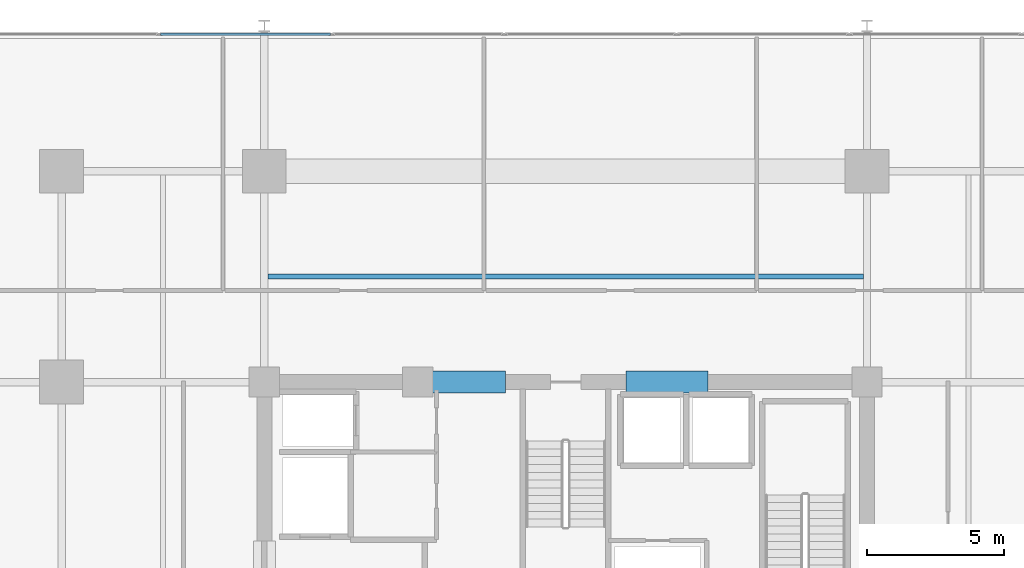
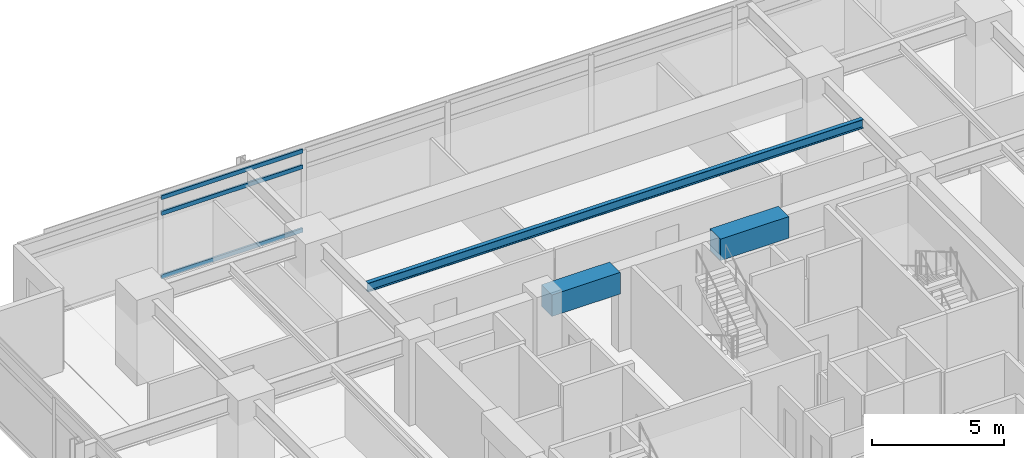
# One storey, part 7 of 21: 3 beams, 3 members, 1 element without a shape of its own.
"""IFC4 building model written with IfcOpenShell, lengths in metres."""

from ifc_helpers import new_model, si_unit, direction, frame, origin, origin_2d, place, context, subcontext, project, spatial, rectangle, hollow_rectangle, i_section, extrude, material, material_profile, profile_set, type_object, element, aggregate, save


model = new_model("IFC4")

# Units and contexts
model_context = context("Model", 3, precision=1e-05, world=origin(), true_north=direction((0.0, 1.0)))
body_context = subcontext(model_context, "Body", "Model", "MODEL_VIEW")
ifc_project = project(units=[si_unit("LENGTHUNIT", "METRE"), si_unit("AREAUNIT", "SQUARE_METRE"), si_unit("VOLUMEUNIT", "CUBIC_METRE"), si_unit("PLANEANGLEUNIT", "RADIAN"), si_unit("MASSUNIT", "GRAM", prefix="KILO")], contexts=[model_context])

# Site, building, storey
site_placement = place(None, origin())
site = spatial("IfcSite", under=ifc_project, at=site_placement, CompositionType="ELEMENT")
building_placement = place(site_placement, origin())
building = spatial("IfcBuilding", under=site, at=building_placement, Name="Kovane Verandah Tower", CompositionType="ELEMENT")
storey_placement = place(building_placement, frame((0.0, 0.0, 176.39990234375)))
storey = spatial("IfcBuildingStorey", under=building, at=storey_placement, Name="L41", CompositionType="ELEMENT", Elevation=176.39990234375)

# Beams
ifc_material_1 = material(Name="Concrete C60/75", Category="concrete")
ifc_material_profile_1 = material_profile(ifc_material_1, rectangle(XDim=0.800048828125, YDim=1.0, at=origin_2d()), Name="RCB800x1000")
ifc_profile_set_1 = profile_set([ifc_material_profile_1], Name="Concrete C60/75")
beam_type_1 = type_object("IfcBeamType", Name="BM-LINTEL-800x1000", PredefinedType="LINTEL", material=ifc_profile_set_1)
for number, where, z_axis, x_axis, name in (
    (1, (34.800048828125, 36.5, 3.275146484375), (1.0, 0.0, 0.0), (0.0, 1.0, 0.0), "L41 Core Coupling Lintel CL-N1"),
    (2, (42.199951171875, 36.5, 3.275146484375), (1.0, 0.0, 0.0), (0.0, 1.0, 0.0), "L41 Core Coupling Lintel CL-N2"),
):
    element("IfcBeam", number, at=place(storey_placement, frame(where, z_axis=z_axis, x_axis=x_axis)), inside=storey, type_object=beam_type_1, Name=name, PredefinedType="LINTEL", context=body_context, shape_type="SweptSolid", body=[
        extrude(rectangle(XDim=0.800048828125, YDim=1.0, at=origin_2d()), origin(), (0.0, 0.0, 1.0), 3.0),
    ])

# Curtain wall, members
ifc_material_2 = material(Name="Champagne Anodised Aluminium Frame with Low-E Clear Laminated Glass", Category="aluminium")
curtain_wall_type = type_object("IfcCurtainWallType", Name="CW-SYS-03-MID", PredefinedType="NOTDEFINED", material=ifc_material_2)
curtain_wall_placement = place(storey_placement, origin())
curtain_wall = element("IfcCurtainWall", 3, at=curtain_wall_placement, inside=storey, type_object=curtain_wall_type, Name="L41 N Unitised Curtain Wall", PredefinedType="NOTDEFINED")
ifc_material_3 = material(Name="Champagne Anodised Aluminium 6063-T6", Category="aluminium")
ifc_material_profile_2 = material_profile(ifc_material_3, hollow_rectangle(XDim=0.0849609375, YDim=0.18994140625, WallThickness=0.00390625, at=origin_2d()), Name="AL85x190x4")
ifc_profile_set_2 = profile_set([ifc_material_profile_2], Name="Champagne Anodised Aluminium 6063-T6")
member_type = type_object("IfcMemberType", Name="CW-TRN-85x190", PredefinedType="USERDEFINED", material=ifc_profile_set_2)
member_1_placement = place(storey_placement, frame((31.411865234375, 49.195068359375, 0.050048828125), z_axis=(-1.0, 0.0, 0.0), x_axis=(0.0, -1.0, 0.0)))
member_1 = element("IfcMember", 4, at=member_1_placement, type_object=member_type, Name="L41 N Unitised Curtain Wall Transom TB Bay 6", ObjectType="TRANSOM", PredefinedType="USERDEFINED", context=body_context, shape_type="SweptSolid", body=[
    extrude(hollow_rectangle(XDim=0.0849609375, YDim=0.18994140625, WallThickness=0.00390625, at=origin_2d()), origin(), (0.0, 0.0, 1.0), 6.19873046875),
])
member_2_placement = place(storey_placement, frame((31.411865234375, 49.195068359375, 2.9951171875), z_axis=(-1.0, 0.0, 0.0), x_axis=(0.0, -1.0, 0.0)))
member_2 = element("IfcMember", 5, at=member_2_placement, type_object=member_type, Name="L41 N Unitised Curtain Wall Transom TM Bay 6", ObjectType="TRANSOM", PredefinedType="USERDEFINED", context=body_context, shape_type="SweptSolid", body=[
    extrude(hollow_rectangle(XDim=0.0849609375, YDim=0.18994140625, WallThickness=0.00390625, at=origin_2d()), origin(), (0.0, 0.0, 1.0), 6.19873046875),
])
member_3_placement = place(storey_placement, frame((31.411865234375, 49.195068359375, 3.72509765625), z_axis=(-1.0, 0.0, 0.0), x_axis=(0.0, -1.0, 0.0)))
member_3 = element("IfcMember", 6, at=member_3_placement, type_object=member_type, Name="L41 N Unitised Curtain Wall Transom TT Bay 6", ObjectType="TRANSOM", PredefinedType="USERDEFINED", context=body_context, shape_type="SweptSolid", body=[
    extrude(hollow_rectangle(XDim=0.0849609375, YDim=0.18994140625, WallThickness=0.00390625, at=origin_2d()), origin(), (0.0, 0.0, 1.0), 6.19873046875),
])
aggregate(curtain_wall, [member_1, member_2, member_3])

# Beam
ifc_material_4 = material(Name="Steel S355", Category="steel")
ifc_material_profile_3 = material_profile(ifc_material_4, i_section(OverallWidth=0.179443359375, OverallDepth=0.412841796875, WebThickness=0.009521484375, FlangeThickness=0.01611328125, FilletRadius=0.01025390625, at=origin_2d()), Name="UB406x178x74")
ifc_profile_set_3 = profile_set([ifc_material_profile_3], Name="Steel S355")
beam_type_2 = type_object("IfcBeamType", Name="JST-UB406x74", PredefinedType="JOIST", material=ifc_profile_set_3)
beam_placement = place(storey_placement, frame((29.132080078125, 40.35009765625, 3.568603515625), z_axis=(1.0, 0.0, 0.0), x_axis=(0.0, 1.0, 0.0)))
element("IfcBeam", 7, at=beam_placement, inside=storey, type_object=beam_type_2, Name="L41 Secondary Composite Joist J-N1", PredefinedType="JOIST", context=body_context, shape_type="SweptSolid", body=[
    extrude(i_section(OverallWidth=0.179443359375, OverallDepth=0.412841796875, WebThickness=0.009521484375, FlangeThickness=0.01611328125, FilletRadius=0.01025390625, at=origin_2d()), origin(), (0.0, 0.0, 1.0), 21.73583984375),
])

save(model, "model.ifc")
